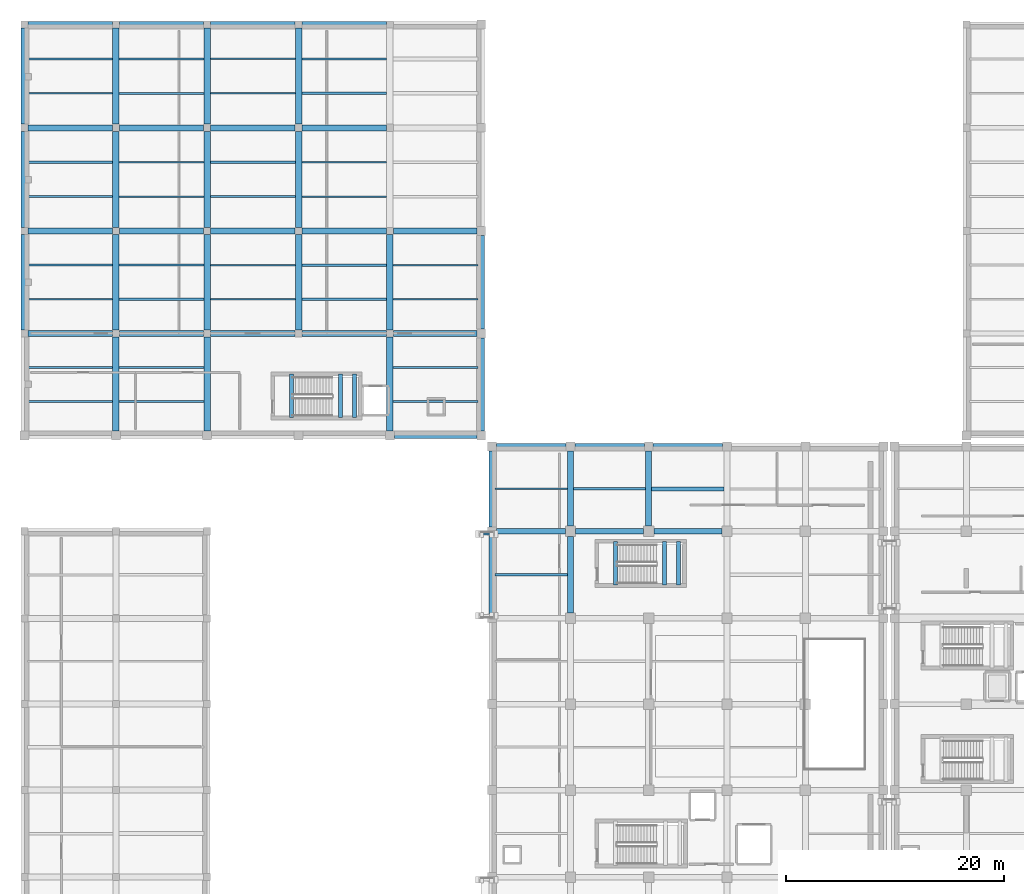
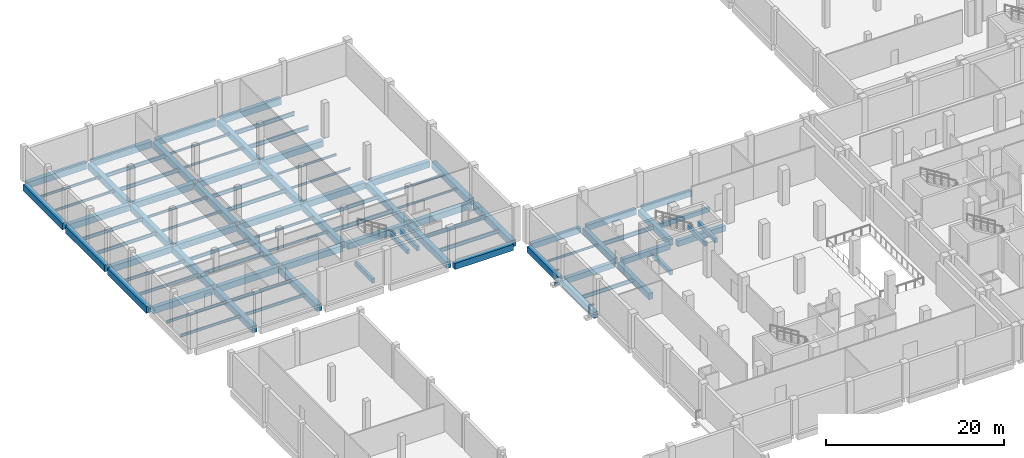
# One storey, part 7 of 31: 91 beams.
"""IFC4 building model written with IfcOpenShell, lengths in metres."""

from ifc_helpers import new_model, si_unit, direction, frame, origin, origin_2d, place, context, subcontext, project, spatial, rectangle, hollow_rectangle, i_section, extrude, material, material_profile, profile_set, type_object, element, save


model = new_model("IFC4")

# Units and contexts
model_context = context("Model", 3, precision=1e-05, world=origin(), true_north=direction((0.0, 1.0)))
body_context = subcontext(model_context, "Body", "Model", "MODEL_VIEW")
ifc_project = project(units=[si_unit("LENGTHUNIT", "METRE"), si_unit("AREAUNIT", "SQUARE_METRE"), si_unit("VOLUMEUNIT", "CUBIC_METRE"), si_unit("PLANEANGLEUNIT", "RADIAN"), si_unit("MASSUNIT", "GRAM", prefix="KILO")], contexts=[model_context])

# Site, building, storey
site_placement = place(None, origin())
site = spatial("IfcSite", under=ifc_project, at=site_placement, CompositionType="ELEMENT")
building_placement = place(site_placement, origin())
building = spatial("IfcBuilding", under=site, at=building_placement, Name="Kelarvand Opera House", CompositionType="ELEMENT")
storey_placement = place(building_placement, frame((0.0, 0.0, -4.800048828125)))
storey = spatial("IfcBuildingStorey", under=building, at=storey_placement, Name="B1", CompositionType="ELEMENT", Elevation=-4.800048828125)

# Beams
ifc_material_1 = material(Name="Concrete C35/45", Category="concrete")
ifc_material_profile_1 = material_profile(ifc_material_1, rectangle(XDim=0.35009765625, YDim=0.60009765625, at=origin_2d()), Name="RC 350x600", Category="concrete")
ifc_profile_set_1 = profile_set([ifc_material_profile_1], Name="Concrete C35/45")
beam_type_1 = type_object("IfcBeamType", Name="Structural Beam RC 350x600 BM-RC350x600", PredefinedType="BEAM", material=ifc_profile_set_1)
beam_1_placement = place(storey_placement, frame((66.675048828125, 82.300048828125, -0.599853515625), z_axis=(1.0, 0.0, 0.0), x_axis=(0.0, 1.0, 0.0)))
element("IfcBeam", 1, at=beam_1_placement, inside=storey, type_object=beam_type_1, Name="V2 B1 Beam BM-RC350x600", PredefinedType="BEAM", context=body_context, shape_type="SweptSolid", body=[
    extrude(rectangle(XDim=0.35009765625, YDim=0.60009765625, at=origin_2d()), origin(), (0.0, 0.0, 1.0), 6.64990234375),
])
for number, where, z_axis, x_axis, name in (
    (2, (63.340087890625, 73.449951171875, -0.52001953125), (0.0, 1.0, 0.0), (-1.0, 0.0, 0.0), "C3 Stair Landing Support Beam B1"),
    (3, (67.85009765625, 73.449951171875, 1.900146484375), (0.0, 1.0, 0.0), (-1.0, 0.0, 0.0), "C3 Stair Half-Landing Beam 1 B1"),
    (4, (69.14990234375, 73.449951171875, 1.900146484375), (0.0, 1.0, 0.0), (-1.0, 0.0, 0.0), "C3 Stair Half-Landing Beam 2 B1"),
    (5, (33.5400390625, 88.85009765625, -0.52001953125), (0.0, 1.0, 0.0), (-1.0, 0.0, 0.0), "C5 Stair Landing Support Beam B1"),
    (6, (38.050048828125, 88.85009765625, 1.900146484375), (0.0, 1.0, 0.0), (-1.0, 0.0, 0.0), "C5 Stair Half-Landing Beam 1 B1"),
    (7, (39.35009765625, 88.85009765625, 1.900146484375), (0.0, 1.0, 0.0), (-1.0, 0.0, 0.0), "C5 Stair Half-Landing Beam 2 B1"),
):
    element("IfcBeam", number, at=place(storey_placement, frame(where, z_axis=z_axis, x_axis=x_axis)), inside=storey, type_object=beam_type_1, Name=name, PredefinedType="BEAM", context=body_context, shape_type="SweptSolid", body=[
        extrude(rectangle(XDim=0.35009765625, YDim=0.60009765625, at=origin_2d()), origin(), (0.0, 0.0, 1.0), 4.0),
    ])
ifc_material_2 = material(Name="Concrete C40/50", Category="concrete")
ifc_material_profile_2 = material_profile(ifc_material_2, rectangle(XDim=0.5, YDim=0.75, at=origin_2d()), Name="RC 500x750", Category="concrete")
ifc_profile_set_2 = profile_set([ifc_material_profile_2], Name="Concrete C40/50")
beam_type_2 = type_object("IfcBeamType", Name="Structural Beam RC 500x750 BM-RC500x750", PredefinedType="BEAM", material=ifc_profile_set_2)
beam_2_placement = place(storey_placement, frame((52.409912109375, 78.39990234375, -0.675048828125), z_axis=(1.0, 0.0, 0.0), x_axis=(0.0, 1.0, 0.0)))
element("IfcBeam", 8, at=beam_2_placement, inside=storey, type_object=beam_type_2, Name="V2 B1 Beam BM-RC500x750", PredefinedType="BEAM", context=body_context, shape_type="SweptSolid", body=[
    extrude(rectangle(XDim=0.5, YDim=0.75, at=origin_2d()), origin(), (0.0, 0.0, 1.0), 6.315185546875),
])
for number, where, z_axis, x_axis, name in (
    (9, (59.675048828125, 78.39990234375, -0.675048828125), (1.0, 0.0, 0.0), (0.0, 1.0, 0.0), "V2 B1 Beam BM-RC500x750"),
    (10, (66.875, 78.39990234375, -0.675048828125), (1.0, 0.0, 0.0), (0.0, 1.0, 0.0), "V2 B1 Beam BM-RC500x750"),
):
    element("IfcBeam", number, at=place(storey_placement, frame(where, z_axis=z_axis, x_axis=x_axis)), inside=storey, type_object=beam_type_2, Name=name, PredefinedType="BEAM", context=body_context, shape_type="SweptSolid", body=[
        extrude(rectangle(XDim=0.5, YDim=0.75, at=origin_2d()), origin(), (0.0, 0.0, 1.0), 6.25),
    ])
beam_3_placement = place(storey_placement, frame((52.409912109375, 86.199951171875, -0.675048828125), z_axis=(1.0, 0.0, 0.0), x_axis=(0.0, 1.0, 0.0)))
element("IfcBeam", 11, at=beam_3_placement, inside=storey, type_object=beam_type_2, Name="V2 B1 Beam BM-RC500x750", PredefinedType="BEAM", context=body_context, shape_type="SweptSolid", body=[
    extrude(rectangle(XDim=0.5, YDim=0.75, at=origin_2d()), origin(), (0.0, 0.0, 1.0), 6.380126953125),
])
for number, where, z_axis, x_axis, name in (
    (12, (59.610107421875, 86.199951171875, -0.675048828125), (1.0, 0.0, 0.0), (0.0, 1.0, 0.0), "V2 B1 Beam BM-RC500x750"),
    (13, (66.81005859375, 86.199951171875, -0.675048828125), (1.0, 0.0, 0.0), (0.0, 1.0, 0.0), "V2 B1 Beam BM-RC500x750"),
):
    element("IfcBeam", number, at=place(storey_placement, frame(where, z_axis=z_axis, x_axis=x_axis)), inside=storey, type_object=beam_type_2, Name=name, PredefinedType="BEAM", context=body_context, shape_type="SweptSolid", body=[
        extrude(rectangle(XDim=0.5, YDim=0.75, at=origin_2d()), origin(), (0.0, 0.0, 1.0), 6.3798828125),
    ])
ifc_material_profile_3 = material_profile(ifc_material_2, rectangle(XDim=0.550048828125, YDim=0.85009765625, at=origin_2d()), Name="RC 550x850", Category="concrete")
ifc_profile_set_3 = profile_set([ifc_material_profile_3], Name="Concrete C40/50")
beam_type_3 = type_object("IfcBeamType", Name="Structural Beam RC 550x850 BM-RC550x850", PredefinedType="BEAM", material=ifc_profile_set_3)
beam_4_placement = place(storey_placement, frame((52.0, 70.81005859375, -0.724853515625), z_axis=(0.0, 1.0, 0.0), x_axis=(-1.0, 0.0, 0.0)))
element("IfcBeam", 14, at=beam_4_placement, inside=storey, type_object=beam_type_3, Name="V2 B1 Beam BM-RC550x850", PredefinedType="BEAM", context=body_context, shape_type="SweptSolid", body=[
    extrude(rectangle(XDim=0.550048828125, YDim=0.85009765625, at=origin_2d()), origin(), (0.0, 0.0, 1.0), 7.179931640625),
])
beam_5_placement = place(storey_placement, frame((52.0, 78.81005859375, -0.724853515625), z_axis=(0.0, 1.0, 0.0), x_axis=(-1.0, 0.0, 0.0)))
element("IfcBeam", 15, at=beam_5_placement, inside=storey, type_object=beam_type_3, Name="V2 B1 Beam BM-RC550x850", PredefinedType="BEAM", context=body_context, shape_type="SweptSolid", body=[
    extrude(rectangle(XDim=0.550048828125, YDim=0.85009765625, at=origin_2d()), origin(), (0.0, 0.0, 1.0), 6.97998046875),
])
beam_6_placement = place(storey_placement, frame((59.199951171875, 70.875, -0.724853515625), z_axis=(0.0, 1.0, 0.0), x_axis=(-1.0, 0.0, 0.0)))
element("IfcBeam", 16, at=beam_6_placement, inside=storey, type_object=beam_type_3, Name="V2 B1 Beam BM-RC550x850", PredefinedType="BEAM", context=body_context, shape_type="SweptSolid", body=[
    extrude(rectangle(XDim=0.550048828125, YDim=0.85009765625, at=origin_2d()), origin(), (0.0, 0.0, 1.0), 7.050048828125),
])
for number, where, z_axis, x_axis, name in (
    (17, (59.199951171875, 78.875, -0.724853515625), (0.0, 1.0, 0.0), (-1.0, 0.0, 0.0), "V2 B1 Beam BM-RC550x850"),
    (18, (66.39990234375, 78.875, -0.724853515625), (0.0, 1.0, 0.0), (-1.0, 0.0, 0.0), "V2 B1 Beam BM-RC550x850"),
):
    element("IfcBeam", number, at=place(storey_placement, frame(where, z_axis=z_axis, x_axis=x_axis)), inside=storey, type_object=beam_type_3, Name=name, PredefinedType="BEAM", context=body_context, shape_type="SweptSolid", body=[
        extrude(rectangle(XDim=0.550048828125, YDim=0.85009765625, at=origin_2d()), origin(), (0.0, 0.0, 1.0), 6.9150390625),
    ])
beam_7_placement = place(storey_placement, frame((43.010009765625, 87.199951171875, -0.724853515625), z_axis=(1.0, 0.0, 0.0), x_axis=(0.0, 1.0, 0.0)))
element("IfcBeam", 19, at=beam_7_placement, inside=storey, type_object=beam_type_3, Name="V3 B1 Beam BM-RC550x850", PredefinedType="BEAM", context=body_context, shape_type="SweptSolid", body=[
    extrude(rectangle(XDim=0.550048828125, YDim=0.85009765625, at=origin_2d()), origin(), (0.0, 0.0, 1.0), 7.580078125),
])
for number, where, z_axis, x_axis, name in (
    (20, (9.324951171875, 96.60009765625, -0.724853515625), (1.0, 0.0, 0.0), (0.0, 1.0, 0.0), "V3 B1 Beam BM-RC550x850"),
    (21, (17.72509765625, 96.60009765625, -0.724853515625), (1.0, 0.0, 0.0), (0.0, 1.0, 0.0), "V3 B1 Beam BM-RC550x850"),
    (22, (26.125, 96.60009765625, -0.724853515625), (1.0, 0.0, 0.0), (0.0, 1.0, 0.0), "V3 B1 Beam BM-RC550x850"),
    (23, (34.52490234375, 96.60009765625, -0.724853515625), (1.0, 0.0, 0.0), (0.0, 1.0, 0.0), "V3 B1 Beam BM-RC550x850"),
):
    element("IfcBeam", number, at=place(storey_placement, frame(where, z_axis=z_axis, x_axis=x_axis)), inside=storey, type_object=beam_type_3, Name=name, PredefinedType="BEAM", context=body_context, shape_type="SweptSolid", body=[
        extrude(rectangle(XDim=0.550048828125, YDim=0.85009765625, at=origin_2d()), origin(), (0.0, 0.0, 1.0), 7.75),
    ])
beam_8_placement = place(storey_placement, frame((42.925048828125, 96.60009765625, -0.724853515625), z_axis=(1.0, 0.0, 0.0), x_axis=(0.0, 1.0, 0.0)))
element("IfcBeam", 24, at=beam_8_placement, inside=storey, type_object=beam_type_3, Name="V3 B1 Beam BM-RC550x850", PredefinedType="BEAM", context=body_context, shape_type="SweptSolid", body=[
    extrude(rectangle(XDim=0.550048828125, YDim=0.85009765625, at=origin_2d()), origin(), (0.0, 0.0, 1.0), 7.6650390625),
])
for number, where, z_axis, x_axis, name in (
    (25, (9.324951171875, 106.0, -0.724853515625), (1.0, 0.0, 0.0), (0.0, 1.0, 0.0), "V3 B1 Beam BM-RC550x850"),
    (26, (17.72509765625, 106.0, -0.724853515625), (1.0, 0.0, 0.0), (0.0, 1.0, 0.0), "V3 B1 Beam BM-RC550x850"),
    (27, (26.125, 106.0, -0.724853515625), (1.0, 0.0, 0.0), (0.0, 1.0, 0.0), "V3 B1 Beam BM-RC550x850"),
    (28, (34.52490234375, 106.0, -0.724853515625), (1.0, 0.0, 0.0), (0.0, 1.0, 0.0), "V3 B1 Beam BM-RC550x850"),
):
    element("IfcBeam", number, at=place(storey_placement, frame(where, z_axis=z_axis, x_axis=x_axis)), inside=storey, type_object=beam_type_3, Name=name, PredefinedType="BEAM", context=body_context, shape_type="SweptSolid", body=[
        extrude(rectangle(XDim=0.550048828125, YDim=0.85009765625, at=origin_2d()), origin(), (0.0, 0.0, 1.0), 7.75),
    ])
beam_9_placement = place(storey_placement, frame((42.925048828125, 106.0, -0.724853515625), z_axis=(1.0, 0.0, 0.0), x_axis=(0.0, 1.0, 0.0)))
element("IfcBeam", 29, at=beam_9_placement, inside=storey, type_object=beam_type_3, Name="V3 B1 Beam BM-RC550x850", PredefinedType="BEAM", context=body_context, shape_type="SweptSolid", body=[
    extrude(rectangle(XDim=0.550048828125, YDim=0.85009765625, at=origin_2d()), origin(), (0.0, 0.0, 1.0), 7.6650390625),
])
for number, where, z_axis, x_axis, name in (
    (30, (9.324951171875, 115.5, -0.724853515625), (1.0, 0.0, 0.0), (0.0, 1.0, 0.0), "V3 B1 Beam BM-RC550x850"),
    (31, (17.72509765625, 115.5, -0.724853515625), (1.0, 0.0, 0.0), (0.0, 1.0, 0.0), "V3 B1 Beam BM-RC550x850"),
    (32, (26.125, 115.5, -0.724853515625), (1.0, 0.0, 0.0), (0.0, 1.0, 0.0), "V3 B1 Beam BM-RC550x850"),
    (33, (34.52490234375, 115.5, -0.724853515625), (1.0, 0.0, 0.0), (0.0, 1.0, 0.0), "V3 B1 Beam BM-RC550x850"),
    (34, (9.324951171875, 125.0, -0.724853515625), (1.0, 0.0, 0.0), (0.0, 1.0, 0.0), "V3 B1 Beam BM-RC550x850"),
    (35, (17.72509765625, 125.0, -0.724853515625), (1.0, 0.0, 0.0), (0.0, 1.0, 0.0), "V3 B1 Beam BM-RC550x850"),
    (36, (26.125, 125.0, -0.724853515625), (1.0, 0.0, 0.0), (0.0, 1.0, 0.0), "V3 B1 Beam BM-RC550x850"),
    (37, (34.52490234375, 125.0, -0.724853515625), (1.0, 0.0, 0.0), (0.0, 1.0, 0.0), "V3 B1 Beam BM-RC550x850"),
):
    element("IfcBeam", number, at=place(storey_placement, frame(where, z_axis=z_axis, x_axis=x_axis)), inside=storey, type_object=beam_type_3, Name=name, PredefinedType="BEAM", context=body_context, shape_type="SweptSolid", body=[
        extrude(rectangle(XDim=0.550048828125, YDim=0.85009765625, at=origin_2d()), origin(), (0.0, 0.0, 1.0), 7.75),
    ])
ifc_material_profile_4 = material_profile(ifc_material_2, rectangle(XDim=0.60009765625, YDim=0.89990234375, at=origin_2d()), Name="RC 600x900", Category="concrete")
ifc_profile_set_4 = profile_set([ifc_material_profile_4], Name="Concrete C40/50")
beam_type_4 = type_object("IfcBeamType", Name="Structural Beam RC 600x900 BM-RC600x900", PredefinedType="BEAM", material=ifc_profile_set_4)
beam_10_placement = place(storey_placement, frame((9.0, 96.925048828125, -0.75), z_axis=(0.0, 1.0, 0.0), x_axis=(-1.0, 0.0, 0.0)))
element("IfcBeam", 38, at=beam_10_placement, inside=storey, type_object=beam_type_4, Name="V3 B1 Beam BM-RC600x900", PredefinedType="BEAM", context=body_context, shape_type="SweptSolid", body=[
    extrude(rectangle(XDim=0.60009765625, YDim=0.89990234375, at=origin_2d()), origin(), (0.0, 0.0, 1.0), 8.75),
])
for number, where, z_axis, x_axis, name in (
    (39, (9.0, 106.324951171875, -0.75), (0.0, 1.0, 0.0), (-1.0, 0.0, 0.0), "V3 B1 Beam BM-RC600x900"),
    (40, (9.0, 115.824951171875, -0.75), (0.0, 1.0, 0.0), (-1.0, 0.0, 0.0), "V3 B1 Beam BM-RC600x900"),
):
    element("IfcBeam", number, at=place(storey_placement, frame(where, z_axis=z_axis, x_axis=x_axis)), inside=storey, type_object=beam_type_4, Name=name, PredefinedType="BEAM", context=body_context, shape_type="SweptSolid", body=[
        extrude(rectangle(XDim=0.60009765625, YDim=0.89990234375, at=origin_2d()), origin(), (0.0, 0.0, 1.0), 8.85009765625),
    ])
beam_11_placement = place(storey_placement, frame((17.39990234375, 87.610107421875, -0.75), z_axis=(0.0, 1.0, 0.0), x_axis=(-1.0, 0.0, 0.0)))
element("IfcBeam", 41, at=beam_11_placement, inside=storey, type_object=beam_type_4, Name="V3 B1 Beam BM-RC600x900", PredefinedType="BEAM", context=body_context, shape_type="SweptSolid", body=[
    extrude(rectangle(XDim=0.60009765625, YDim=0.89990234375, at=origin_2d()), origin(), (0.0, 0.0, 1.0), 8.664794921875),
])
beam_12_placement = place(storey_placement, frame((17.39990234375, 96.925048828125, -0.75), z_axis=(0.0, 1.0, 0.0), x_axis=(-1.0, 0.0, 0.0)))
element("IfcBeam", 42, at=beam_12_placement, inside=storey, type_object=beam_type_4, Name="V3 B1 Beam BM-RC600x900", PredefinedType="BEAM", context=body_context, shape_type="SweptSolid", body=[
    extrude(rectangle(XDim=0.60009765625, YDim=0.89990234375, at=origin_2d()), origin(), (0.0, 0.0, 1.0), 8.75),
])
for number, where, z_axis, x_axis, name in (
    (43, (17.39990234375, 106.324951171875, -0.75), (0.0, 1.0, 0.0), (-1.0, 0.0, 0.0), "V3 B1 Beam BM-RC600x900"),
    (44, (17.39990234375, 115.824951171875, -0.75), (0.0, 1.0, 0.0), (-1.0, 0.0, 0.0), "V3 B1 Beam BM-RC600x900"),
):
    element("IfcBeam", number, at=place(storey_placement, frame(where, z_axis=z_axis, x_axis=x_axis)), inside=storey, type_object=beam_type_4, Name=name, PredefinedType="BEAM", context=body_context, shape_type="SweptSolid", body=[
        extrude(rectangle(XDim=0.60009765625, YDim=0.89990234375, at=origin_2d()), origin(), (0.0, 0.0, 1.0), 8.85009765625),
    ])
beam_13_placement = place(storey_placement, frame((25.800048828125, 87.610107421875, -0.75), z_axis=(0.0, 1.0, 0.0), x_axis=(-1.0, 0.0, 0.0)))
element("IfcBeam", 45, at=beam_13_placement, inside=storey, type_object=beam_type_4, Name="V3 B1 Beam BM-RC600x900", PredefinedType="BEAM", context=body_context, shape_type="SweptSolid", body=[
    extrude(rectangle(XDim=0.60009765625, YDim=0.89990234375, at=origin_2d()), origin(), (0.0, 0.0, 1.0), 8.664794921875),
])
beam_14_placement = place(storey_placement, frame((25.800048828125, 96.925048828125, -0.75), z_axis=(0.0, 1.0, 0.0), x_axis=(-1.0, 0.0, 0.0)))
element("IfcBeam", 46, at=beam_14_placement, inside=storey, type_object=beam_type_4, Name="V3 B1 Beam BM-RC600x900", PredefinedType="BEAM", context=body_context, shape_type="SweptSolid", body=[
    extrude(rectangle(XDim=0.60009765625, YDim=0.89990234375, at=origin_2d()), origin(), (0.0, 0.0, 1.0), 8.75),
])
for number, where, z_axis, x_axis, name in (
    (47, (25.800048828125, 106.324951171875, -0.75), (0.0, 1.0, 0.0), (-1.0, 0.0, 0.0), "V3 B1 Beam BM-RC600x900"),
    (48, (25.800048828125, 115.824951171875, -0.75), (0.0, 1.0, 0.0), (-1.0, 0.0, 0.0), "V3 B1 Beam BM-RC600x900"),
):
    element("IfcBeam", number, at=place(storey_placement, frame(where, z_axis=z_axis, x_axis=x_axis)), inside=storey, type_object=beam_type_4, Name=name, PredefinedType="BEAM", context=body_context, shape_type="SweptSolid", body=[
        extrude(rectangle(XDim=0.60009765625, YDim=0.89990234375, at=origin_2d()), origin(), (0.0, 0.0, 1.0), 8.85009765625),
    ])
beam_15_placement = place(storey_placement, frame((34.199951171875, 96.925048828125, -0.75), z_axis=(0.0, 1.0, 0.0), x_axis=(-1.0, 0.0, 0.0)))
element("IfcBeam", 49, at=beam_15_placement, inside=storey, type_object=beam_type_4, Name="V3 B1 Beam BM-RC600x900", PredefinedType="BEAM", context=body_context, shape_type="SweptSolid", body=[
    extrude(rectangle(XDim=0.60009765625, YDim=0.89990234375, at=origin_2d()), origin(), (0.0, 0.0, 1.0), 8.75),
])
for number, where, z_axis, x_axis, name in (
    (50, (34.199951171875, 106.324951171875, -0.75), (0.0, 1.0, 0.0), (-1.0, 0.0, 0.0), "V3 B1 Beam BM-RC600x900"),
    (51, (34.199951171875, 115.824951171875, -0.75), (0.0, 1.0, 0.0), (-1.0, 0.0, 0.0), "V3 B1 Beam BM-RC600x900"),
):
    element("IfcBeam", number, at=place(storey_placement, frame(where, z_axis=z_axis, x_axis=x_axis)), inside=storey, type_object=beam_type_4, Name=name, PredefinedType="BEAM", context=body_context, shape_type="SweptSolid", body=[
        extrude(rectangle(XDim=0.60009765625, YDim=0.89990234375, at=origin_2d()), origin(), (0.0, 0.0, 1.0), 8.85009765625),
    ])
beam_16_placement = place(storey_placement, frame((42.60009765625, 87.610107421875, -0.75), z_axis=(0.0, 1.0, 0.0), x_axis=(-1.0, 0.0, 0.0)))
element("IfcBeam", 52, at=beam_16_placement, inside=storey, type_object=beam_type_4, Name="V3 B1 Beam BM-RC600x900", PredefinedType="BEAM", context=body_context, shape_type="SweptSolid", body=[
    extrude(rectangle(XDim=0.60009765625, YDim=0.89990234375, at=origin_2d()), origin(), (0.0, 0.0, 1.0), 8.664794921875),
])
beam_17_placement = place(storey_placement, frame((42.60009765625, 96.925048828125, -0.75), z_axis=(0.0, 1.0, 0.0), x_axis=(-1.0, 0.0, 0.0)))
element("IfcBeam", 53, at=beam_17_placement, inside=storey, type_object=beam_type_4, Name="V3 B1 Beam BM-RC600x900", PredefinedType="BEAM", context=body_context, shape_type="SweptSolid", body=[
    extrude(rectangle(XDim=0.60009765625, YDim=0.89990234375, at=origin_2d()), origin(), (0.0, 0.0, 1.0), 8.75),
])
beam_18_placement = place(storey_placement, frame((51.0, 87.610107421875, -0.75), z_axis=(0.0, 1.0, 0.0), x_axis=(-1.0, 0.0, 0.0)))
element("IfcBeam", 54, at=beam_18_placement, inside=storey, type_object=beam_type_4, Name="V3 B1 Beam BM-RC600x900", PredefinedType="BEAM", context=body_context, shape_type="SweptSolid", body=[
    extrude(rectangle(XDim=0.60009765625, YDim=0.89990234375, at=origin_2d()), origin(), (0.0, 0.0, 1.0), 8.579833984375),
])
beam_19_placement = place(storey_placement, frame((51.0, 97.010009765625, -0.75), z_axis=(0.0, 1.0, 0.0), x_axis=(-1.0, 0.0, 0.0)))
element("IfcBeam", 55, at=beam_19_placement, inside=storey, type_object=beam_type_4, Name="V3 B1 Beam BM-RC600x900", PredefinedType="BEAM", context=body_context, shape_type="SweptSolid", body=[
    extrude(rectangle(XDim=0.60009765625, YDim=0.89990234375, at=origin_2d()), origin(), (0.0, 0.0, 1.0), 8.580078125),
])
ifc_material_3 = material(Name="Steel S355", Category="steel")
ifc_material_profile_5 = material_profile(ifc_material_3, hollow_rectangle(XDim=0.199951171875, YDim=0.39990234375, WallThickness=0.01611328125, at=origin_2d()), Name="RHS 400x200x16.0", Category="steel")
ifc_profile_set_5 = profile_set([ifc_material_profile_5], Name="Steel S355")
beam_type_5 = type_object("IfcBeamType", Name="Structural Beam RHS 400x200x16.0 BM-RHS400", PredefinedType="BEAM", material=ifc_profile_set_5)
beam_20_placement = place(storey_placement, frame((50.85009765625, 78.14990234375, -0.599853515625), z_axis=(1.0, 0.0, 0.0), x_axis=(0.0, 1.0, 0.0)))
element("IfcBeam", 56, at=beam_20_placement, inside=storey, type_object=beam_type_5, Name="Seismic Sliding Corbel Beam BR-JW-N B1 2", PredefinedType="BEAM", context=body_context, shape_type="SweptSolid", body=[
    extrude(hollow_rectangle(XDim=0.199951171875, YDim=0.39990234375, WallThickness=0.01611328125, at=origin_2d()), origin(), (0.0, 0.0, 1.0), 1.2998046875),
])
ifc_material_profile_6 = material_profile(ifc_material_3, i_section(OverallWidth=0.14990234375, OverallDepth=0.300048828125, WebThickness=0.007080078125, FlangeThickness=0.0107421875, at=origin_2d()), Name="IPE 300", Category="steel")
ifc_profile_set_6 = profile_set([ifc_material_profile_6], Name="Steel S355")
beam_type_6 = type_object("IfcBeamType", Name="Structural Joist IPE 300 JS-IPE300", PredefinedType="JOIST", material=ifc_profile_set_6)
beam_21_placement = place(storey_placement, frame((52.27490234375, 82.300048828125, -0.449951171875), z_axis=(1.0, 0.0, 0.0), x_axis=(0.0, 1.0, 0.0)))
element("IfcBeam", 57, at=beam_21_placement, inside=storey, type_object=beam_type_6, Name="V2 B1 Beam JS-IPE300", PredefinedType="JOIST", context=body_context, shape_type="SweptSolid", body=[
    extrude(i_section(OverallWidth=0.14990234375, OverallDepth=0.300048828125, WebThickness=0.007080078125, FlangeThickness=0.0107421875, at=origin_2d()), origin(), (0.0, 0.0, 1.0), 6.650146484375),
])
for number, where, z_axis, x_axis, name in (
    (58, (26.10009765625, 118.666748046875, -0.449951171875), (1.0, 0.0, 0.0), (0.0, 1.0, 0.0), "V3 B1 Beam JS-IPE300"),
    (59, (26.10009765625, 121.833251953125, -0.449951171875), (1.0, 0.0, 0.0), (0.0, 1.0, 0.0), "V3 B1 Beam JS-IPE300"),
):
    element("IfcBeam", number, at=place(storey_placement, frame(where, z_axis=z_axis, x_axis=x_axis)), inside=storey, type_object=beam_type_6, Name=name, PredefinedType="JOIST", context=body_context, shape_type="SweptSolid", body=[
        extrude(i_section(OverallWidth=0.14990234375, OverallDepth=0.300048828125, WebThickness=0.007080078125, FlangeThickness=0.0107421875, at=origin_2d()), origin(), (0.0, 0.0, 1.0), 7.7998046875),
    ])
for number, where, z_axis, x_axis, name in (
    (60, (34.5, 109.166748046875, -0.449951171875), (1.0, 0.0, 0.0), (0.0, 1.0, 0.0), "V3 B1 Beam JS-IPE300"),
    (61, (34.5, 112.333251953125, -0.449951171875), (1.0, 0.0, 0.0), (0.0, 1.0, 0.0), "V3 B1 Beam JS-IPE300"),
    (62, (42.89990234375, 99.7333984375, -0.449951171875), (1.0, 0.0, 0.0), (0.0, 1.0, 0.0), "V3 B1 Beam JS-IPE300"),
    (63, (42.89990234375, 102.86669921875, -0.449951171875), (1.0, 0.0, 0.0), (0.0, 1.0, 0.0), "V3 B1 Beam JS-IPE300"),
):
    element("IfcBeam", number, at=place(storey_placement, frame(where, z_axis=z_axis, x_axis=x_axis)), inside=storey, type_object=beam_type_6, Name=name, PredefinedType="JOIST", context=body_context, shape_type="SweptSolid", body=[
        extrude(i_section(OverallWidth=0.14990234375, OverallDepth=0.300048828125, WebThickness=0.007080078125, FlangeThickness=0.0107421875, at=origin_2d()), origin(), (0.0, 0.0, 1.0), 7.800048828125),
    ])
ifc_material_profile_7 = material_profile(ifc_material_3, i_section(OverallWidth=0.159912109375, OverallDepth=0.330078125, WebThickness=0.007568359375, FlangeThickness=0.011474609375, at=origin_2d()), Name="IPE 330", Category="steel")
ifc_profile_set_7 = profile_set([ifc_material_profile_7], Name="Steel S355")
beam_type_7 = type_object("IfcBeamType", Name="Structural Joist IPE 330 JS-IPE330", PredefinedType="JOIST", material=ifc_profile_set_7)
for number, where, z_axis, x_axis, name in (
    (64, (9.300048828125, 118.666748046875, -0.46484375), (1.0, 0.0, 0.0), (0.0, 1.0, 0.0), "V3 B1 Beam JS-IPE330"),
    (65, (9.300048828125, 121.833251953125, -0.46484375), (1.0, 0.0, 0.0), (0.0, 1.0, 0.0), "V3 B1 Beam JS-IPE330"),
    (66, (17.699951171875, 109.166748046875, -0.46484375), (1.0, 0.0, 0.0), (0.0, 1.0, 0.0), "V3 B1 Beam JS-IPE330"),
    (67, (17.699951171875, 112.333251953125, -0.46484375), (1.0, 0.0, 0.0), (0.0, 1.0, 0.0), "V3 B1 Beam JS-IPE330"),
):
    element("IfcBeam", number, at=place(storey_placement, frame(where, z_axis=z_axis, x_axis=x_axis)), inside=storey, type_object=beam_type_7, Name=name, PredefinedType="JOIST", context=body_context, shape_type="SweptSolid", body=[
        extrude(i_section(OverallWidth=0.159912109375, OverallDepth=0.330078125, WebThickness=0.007568359375, FlangeThickness=0.011474609375, at=origin_2d()), origin(), (0.0, 0.0, 1.0), 7.800048828125),
    ])
for number, where, z_axis, x_axis, name in (
    (68, (26.10009765625, 99.7333984375, -0.46484375), (1.0, 0.0, 0.0), (0.0, 1.0, 0.0), "V3 B1 Beam JS-IPE330"),
    (69, (26.10009765625, 102.86669921875, -0.46484375), (1.0, 0.0, 0.0), (0.0, 1.0, 0.0), "V3 B1 Beam JS-IPE330"),
):
    element("IfcBeam", number, at=place(storey_placement, frame(where, z_axis=z_axis, x_axis=x_axis)), inside=storey, type_object=beam_type_7, Name=name, PredefinedType="JOIST", context=body_context, shape_type="SweptSolid", body=[
        extrude(i_section(OverallWidth=0.159912109375, OverallDepth=0.330078125, WebThickness=0.007568359375, FlangeThickness=0.011474609375, at=origin_2d()), origin(), (0.0, 0.0, 1.0), 7.7998046875),
    ])
ifc_material_profile_8 = material_profile(ifc_material_3, i_section(OverallWidth=0.169921875, OverallDepth=0.360107421875, WebThickness=0.008056640625, FlangeThickness=0.0126953125, at=origin_2d()), Name="IPE 360", Category="steel")
ifc_profile_set_8 = profile_set([ifc_material_profile_8], Name="Steel S355")
beam_type_8 = type_object("IfcBeamType", Name="Structural Joist IPE 360 JS-IPE360", PredefinedType="JOIST", material=ifc_profile_set_8)
for number, where, z_axis, x_axis, name in (
    (70, (9.300048828125, 90.333251953125, -0.47998046875), (1.0, 0.0, 0.0), (0.0, 1.0, 0.0), "V3 B1 Beam JS-IPE360"),
    (71, (9.300048828125, 93.466796875, -0.47998046875), (1.0, 0.0, 0.0), (0.0, 1.0, 0.0), "V3 B1 Beam JS-IPE360"),
):
    element("IfcBeam", number, at=place(storey_placement, frame(where, z_axis=z_axis, x_axis=x_axis)), inside=storey, type_object=beam_type_8, Name=name, PredefinedType="JOIST", context=body_context, shape_type="SweptSolid", body=[
        extrude(i_section(OverallWidth=0.169921875, OverallDepth=0.360107421875, WebThickness=0.008056640625, FlangeThickness=0.0126953125, at=origin_2d()), origin(), (0.0, 0.0, 1.0), 7.800048828125),
    ])
ifc_material_profile_9 = material_profile(ifc_material_3, i_section(OverallWidth=0.179931640625, OverallDepth=0.39990234375, WebThickness=0.008544921875, FlangeThickness=0.013427734375, at=origin_2d()), Name="IPE 400", Category="steel")
ifc_profile_set_9 = profile_set([ifc_material_profile_9], Name="Steel S355")
beam_type_9 = type_object("IfcBeamType", Name="Structural Joist IPE 400 JS-IPE400", PredefinedType="JOIST", material=ifc_profile_set_9)
for number, where, z_axis, x_axis, name in (
    (72, (9.300048828125, 99.7333984375, -0.5), (1.0, 0.0, 0.0), (0.0, 1.0, 0.0), "V3 B1 Beam JS-IPE400"),
    (73, (9.300048828125, 102.86669921875, -0.5), (1.0, 0.0, 0.0), (0.0, 1.0, 0.0), "V3 B1 Beam JS-IPE400"),
    (74, (17.699951171875, 90.333251953125, -0.5), (1.0, 0.0, 0.0), (0.0, 1.0, 0.0), "V3 B1 Beam JS-IPE400"),
    (75, (17.699951171875, 93.466796875, -0.5), (1.0, 0.0, 0.0), (0.0, 1.0, 0.0), "V3 B1 Beam JS-IPE400"),
):
    element("IfcBeam", number, at=place(storey_placement, frame(where, z_axis=z_axis, x_axis=x_axis)), inside=storey, type_object=beam_type_9, Name=name, PredefinedType="JOIST", context=body_context, shape_type="SweptSolid", body=[
        extrude(i_section(OverallWidth=0.179931640625, OverallDepth=0.39990234375, WebThickness=0.008544921875, FlangeThickness=0.013427734375, at=origin_2d()), origin(), (0.0, 0.0, 1.0), 7.800048828125),
    ])
ifc_material_profile_10 = material_profile(ifc_material_3, i_section(OverallWidth=0.18994140625, OverallDepth=0.449951171875, WebThickness=0.009521484375, FlangeThickness=0.0146484375, at=origin_2d()), Name="IPE 450", Category="steel")
ifc_profile_set_10 = profile_set([ifc_material_profile_10], Name="Steel S355")
beam_type_10 = type_object("IfcBeamType", Name="Structural Joist IPE 450 JS-IPE450", PredefinedType="JOIST", material=ifc_profile_set_10)
for number, where, z_axis, x_axis, name in (
    (76, (9.300048828125, 109.166748046875, -0.52490234375), (1.0, 0.0, 0.0), (0.0, 1.0, 0.0), "V3 B1 Beam JS-IPE450"),
    (77, (9.300048828125, 112.333251953125, -0.52490234375), (1.0, 0.0, 0.0), (0.0, 1.0, 0.0), "V3 B1 Beam JS-IPE450"),
    (78, (17.699951171875, 99.7333984375, -0.52490234375), (1.0, 0.0, 0.0), (0.0, 1.0, 0.0), "V3 B1 Beam JS-IPE450"),
    (79, (17.699951171875, 102.86669921875, -0.52490234375), (1.0, 0.0, 0.0), (0.0, 1.0, 0.0), "V3 B1 Beam JS-IPE450"),
):
    element("IfcBeam", number, at=place(storey_placement, frame(where, z_axis=z_axis, x_axis=x_axis)), inside=storey, type_object=beam_type_10, Name=name, PredefinedType="JOIST", context=body_context, shape_type="SweptSolid", body=[
        extrude(i_section(OverallWidth=0.18994140625, OverallDepth=0.449951171875, WebThickness=0.009521484375, FlangeThickness=0.0146484375, at=origin_2d()), origin(), (0.0, 0.0, 1.0), 7.800048828125),
    ])
ifc_material_profile_11 = material_profile(ifc_material_3, i_section(OverallWidth=0.199951171875, OverallDepth=0.5, WebThickness=0.01025390625, FlangeThickness=0.01611328125, at=origin_2d()), Name="IPE 500", Category="steel")
ifc_profile_set_11 = profile_set([ifc_material_profile_11], Name="Steel S355")
beam_type_11 = type_object("IfcBeamType", Name="Structural Joist IPE 500 JS-IPE500", PredefinedType="JOIST", material=ifc_profile_set_11)
beam_22_placement = place(storey_placement, frame((52.27490234375, 74.39990234375, -0.550048828125), z_axis=(1.0, 0.0, 0.0), x_axis=(0.0, 1.0, 0.0)))
element("IfcBeam", 80, at=beam_22_placement, inside=storey, type_object=beam_type_11, Name="V2 B1 Beam JS-IPE500", PredefinedType="JOIST", context=body_context, shape_type="SweptSolid", body=[
    extrude(i_section(OverallWidth=0.199951171875, OverallDepth=0.5, WebThickness=0.01025390625, FlangeThickness=0.01611328125, at=origin_2d()), origin(), (0.0, 0.0, 1.0), 6.650146484375),
])
for number, where, z_axis, x_axis, name in (
    (81, (17.699951171875, 118.666748046875, -0.550048828125), (1.0, 0.0, 0.0), (0.0, 1.0, 0.0), "V3 B1 Beam JS-IPE500"),
    (82, (17.699951171875, 121.833251953125, -0.550048828125), (1.0, 0.0, 0.0), (0.0, 1.0, 0.0), "V3 B1 Beam JS-IPE500"),
):
    element("IfcBeam", number, at=place(storey_placement, frame(where, z_axis=z_axis, x_axis=x_axis)), inside=storey, type_object=beam_type_11, Name=name, PredefinedType="JOIST", context=body_context, shape_type="SweptSolid", body=[
        extrude(i_section(OverallWidth=0.199951171875, OverallDepth=0.5, WebThickness=0.01025390625, FlangeThickness=0.01611328125, at=origin_2d()), origin(), (0.0, 0.0, 1.0), 7.800048828125),
    ])
for number, where, z_axis, x_axis, name in (
    (83, (26.10009765625, 109.166748046875, -0.550048828125), (1.0, 0.0, 0.0), (0.0, 1.0, 0.0), "V3 B1 Beam JS-IPE500"),
    (84, (26.10009765625, 112.333251953125, -0.550048828125), (1.0, 0.0, 0.0), (0.0, 1.0, 0.0), "V3 B1 Beam JS-IPE500"),
):
    element("IfcBeam", number, at=place(storey_placement, frame(where, z_axis=z_axis, x_axis=x_axis)), inside=storey, type_object=beam_type_11, Name=name, PredefinedType="JOIST", context=body_context, shape_type="SweptSolid", body=[
        extrude(i_section(OverallWidth=0.199951171875, OverallDepth=0.5, WebThickness=0.01025390625, FlangeThickness=0.01611328125, at=origin_2d()), origin(), (0.0, 0.0, 1.0), 7.7998046875),
    ])
for number, where, z_axis, x_axis, name in (
    (85, (34.5, 99.7333984375, -0.550048828125), (1.0, 0.0, 0.0), (0.0, 1.0, 0.0), "V3 B1 Beam JS-IPE500"),
    (86, (34.5, 102.86669921875, -0.550048828125), (1.0, 0.0, 0.0), (0.0, 1.0, 0.0), "V3 B1 Beam JS-IPE500"),
    (87, (42.89990234375, 90.333251953125, -0.550048828125), (1.0, 0.0, 0.0), (0.0, 1.0, 0.0), "V3 B1 Beam JS-IPE500"),
    (88, (42.89990234375, 93.466796875, -0.550048828125), (1.0, 0.0, 0.0), (0.0, 1.0, 0.0), "V3 B1 Beam JS-IPE500"),
):
    element("IfcBeam", number, at=place(storey_placement, frame(where, z_axis=z_axis, x_axis=x_axis)), inside=storey, type_object=beam_type_11, Name=name, PredefinedType="JOIST", context=body_context, shape_type="SweptSolid", body=[
        extrude(i_section(OverallWidth=0.199951171875, OverallDepth=0.5, WebThickness=0.01025390625, FlangeThickness=0.01611328125, at=origin_2d()), origin(), (0.0, 0.0, 1.0), 7.800048828125),
    ])
ifc_material_profile_12 = material_profile(ifc_material_3, i_section(OverallWidth=0.2099609375, OverallDepth=0.550048828125, WebThickness=0.010986328125, FlangeThickness=0.01708984375, at=origin_2d()), Name="IPE 550", Category="steel")
ifc_profile_set_12 = profile_set([ifc_material_profile_12], Name="Steel S355")
beam_type_12 = type_object("IfcBeamType", Name="Structural Joist IPE 550 JS-IPE550", PredefinedType="JOIST", material=ifc_profile_set_12)
beam_23_placement = place(storey_placement, frame((59.47509765625, 82.300048828125, -0.574951171875), z_axis=(1.0, 0.0, 0.0), x_axis=(0.0, 1.0, 0.0)))
element("IfcBeam", 89, at=beam_23_placement, inside=storey, type_object=beam_type_12, Name="V2 B1 Beam JS-IPE550", PredefinedType="JOIST", context=body_context, shape_type="SweptSolid", body=[
    extrude(i_section(OverallWidth=0.2099609375, OverallDepth=0.550048828125, WebThickness=0.010986328125, FlangeThickness=0.01708984375, at=origin_2d()), origin(), (0.0, 0.0, 1.0), 6.64990234375),
])
for number, where, z_axis, x_axis, name in (
    (90, (34.5, 118.666748046875, -0.574951171875), (1.0, 0.0, 0.0), (0.0, 1.0, 0.0), "V3 B1 Beam JS-IPE550"),
    (91, (34.5, 121.833251953125, -0.574951171875), (1.0, 0.0, 0.0), (0.0, 1.0, 0.0), "V3 B1 Beam JS-IPE550"),
):
    element("IfcBeam", number, at=place(storey_placement, frame(where, z_axis=z_axis, x_axis=x_axis)), inside=storey, type_object=beam_type_12, Name=name, PredefinedType="JOIST", context=body_context, shape_type="SweptSolid", body=[
        extrude(i_section(OverallWidth=0.2099609375, OverallDepth=0.550048828125, WebThickness=0.010986328125, FlangeThickness=0.01708984375, at=origin_2d()), origin(), (0.0, 0.0, 1.0), 7.800048828125),
    ])

save(model, "model.ifc")
